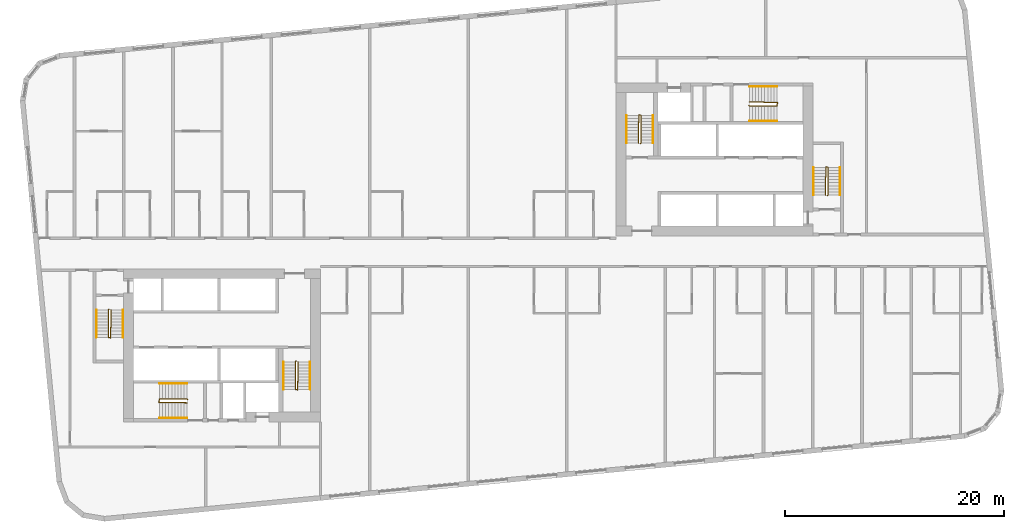
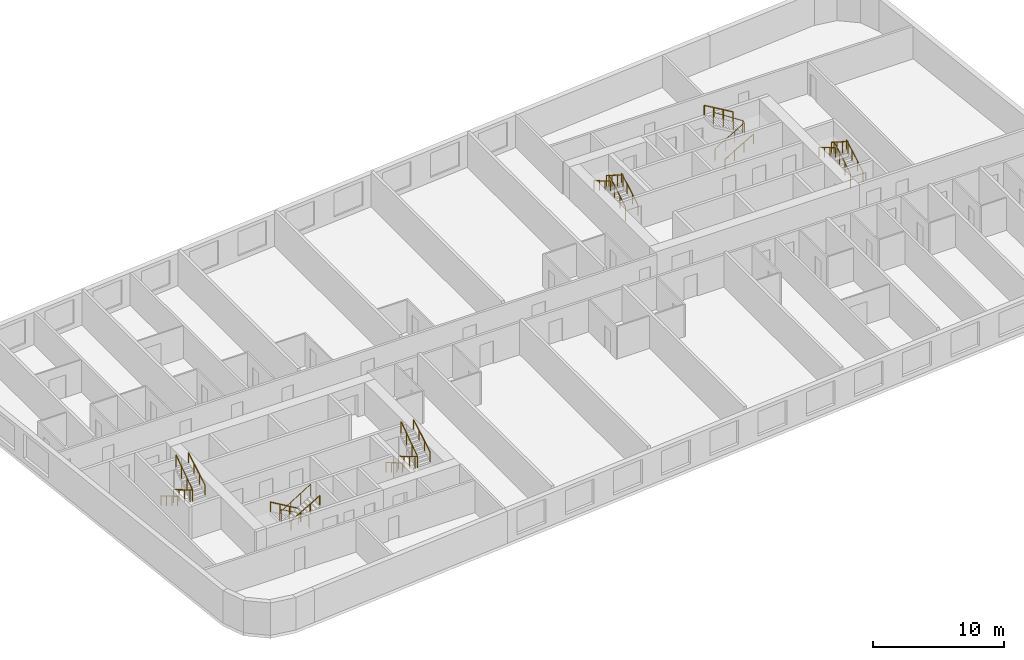
# One storey, part 12 of 12: 18 railings.
"""IFC4 building model written with IfcOpenShell, lengths in metres."""

from ifc_helpers import new_model, si_unit, direction, frame, origin, origin_2d, place, context, subcontext, project, spatial, circle, extrude, material, type_object, element, save


model = new_model("IFC4")

# Units and contexts
model_context = context("Model", 3, precision=1e-05, world=origin(), true_north=direction((0.0, 1.0)))
body_context = subcontext(model_context, "Body", "Model", "MODEL_VIEW")
ifc_project = project(units=[si_unit("LENGTHUNIT", "METRE"), si_unit("AREAUNIT", "SQUARE_METRE"), si_unit("VOLUMEUNIT", "CUBIC_METRE"), si_unit("PLANEANGLEUNIT", "RADIAN"), si_unit("MASSUNIT", "GRAM", prefix="KILO")], contexts=[model_context])

# Site, building, storey
site_placement = place(None, origin())
site = spatial("IfcSite", under=ifc_project, at=site_placement, CompositionType="ELEMENT")
building_placement = place(site_placement, origin())
building = spatial("IfcBuilding", under=site, at=building_placement, Name="Kajstack Hotel Tower", CompositionType="ELEMENT")
storey_placement = place(building_placement, frame((0.0, 0.0, 124.0)))
storey = spatial("IfcBuildingStorey", under=building, at=storey_placement, Name="L27", CompositionType="ELEMENT", Elevation=124.0)

# Railings
ifc_material = material(Name="Steel S355J2", Category="steel")
railing_type_1 = type_object("IfcRailingType", Name="Stair guard 1100", PredefinedType="GUARDRAIL", material=ifc_material)
railing_1_placement = place(storey_placement, frame((-32.85009765625, -5.199951171875, 0.0)))
element("IfcRailing", 1, at=railing_1_placement, inside=storey, type_object=railing_type_1, Name="L27 W1 stair guard 1", PredefinedType="GUARDRAIL", context=body_context, shape_type="SweptSolid", body=[
    extrude(circle(Radius=0.02392578125, at=origin_2d()), frame((0.0, 0.0, 1.076171875), z_axis=(-0.277450376394, -0.278810427259, 0.919394384522), x_axis=(0.708833529934, -0.705375805398, 0.0)), (0.0, 0.0, 1.0), 0.179443359375),
    extrude(circle(Radius=0.02392578125, at=origin_2d()), frame((-0.0498046875, -0.050048828125, 1.2412109375), z_axis=(0.0, -0.861560626758, 0.507654692109), x_axis=(1.0, 0.0, 0.0)), (0.0, 0.0, 1.0), 2.925048828125),
    extrude(circle(Radius=0.02392578125, at=origin_2d()), frame((-0.0498046875, -2.570068359375, 2.72607421875), z_axis=(0.970072785993, -0.242814311512, 0.0), x_axis=(0.242814311512, 0.970072785993, 0.0)), (0.0, 0.0, 1.0), 0.2060546875),
    extrude(circle(Radius=0.02392578125, at=origin_2d()), frame((0.150146484375, -2.6201171875, 2.72607421875), z_axis=(0.016384601254, 0.84136925563, 0.540212292087), x_axis=(-0.999810440751, 0.019470042781, 0.0)), (0.0, 0.0, 1.0), 3.0546875),
    extrude(circle(Radius=0.02099609375, at=origin_2d()), origin(), (0.0, 0.0, 1.0), 1.052001953125),
    extrude(circle(Radius=0.02099609375, at=origin_2d()), frame((-0.0498046875, -0.050048828125, 0.1650390625)), (0.0, 0.0, 1.0), 1.052001953125),
    extrude(circle(Radius=0.02099609375, at=origin_2d()), frame((-0.0498046875, -0.89013671875, 0.659912109375)), (0.0, 0.0, 1.0), 1.052001953125),
    extrude(circle(Radius=0.02099609375, at=origin_2d()), frame((-0.0498046875, -1.72998046875, 1.155029296875)), (0.0, 0.0, 1.0), 1.052001953125),
    extrude(circle(Radius=0.02099609375, at=origin_2d()), frame((-0.0498046875, -2.570068359375, 1.64990234375)), (0.0, 0.0, 1.0), 1.052001953125),
    extrude(circle(Radius=0.02099609375, at=origin_2d()), frame((0.150146484375, -2.6201171875, 1.64990234375)), (0.0, 0.0, 1.0), 1.052001953125),
    extrude(circle(Radius=0.02099609375, at=origin_2d()), frame((0.166748046875, -1.763427734375, 2.199951171875)), (0.0, 0.0, 1.0), 1.052001953125),
    extrude(circle(Radius=0.02099609375, at=origin_2d()), frame((0.18359375, -0.90673828125, 2.75)), (0.0, 0.0, 1.0), 1.052001953125),
    extrude(circle(Radius=0.02099609375, at=origin_2d()), frame((0.2001953125, -0.050048828125, 3.300048828125)), (0.0, 0.0, 1.0), 1.052001953125),
])
railing_2_placement = place(storey_placement, frame((-15.75, -9.949951171875, 0.0)))
element("IfcRailing", 2, at=railing_2_placement, inside=storey, type_object=railing_type_1, Name="L27 W2 stair guard 1", PredefinedType="GUARDRAIL", context=body_context, shape_type="SweptSolid", body=[
    extrude(circle(Radius=0.02392578125, at=origin_2d()), frame((0.0, 0.0, 1.076171875), z_axis=(-0.278705021027, -0.278705021027, 0.919046801044), x_axis=(0.707106781187, -0.707106781187, 0.0)), (0.0, 0.0, 1.0), 0.1796875),
    extrude(circle(Radius=0.02392578125, at=origin_2d()), frame((-0.050048828125, -0.050048828125, 1.2412109375), z_axis=(0.0, -0.861560626758, 0.507654692109), x_axis=(1.0, 0.0, 0.0)), (0.0, 0.0, 1.0), 2.925048828125),
    extrude(circle(Radius=0.02392578125, at=origin_2d()), frame((-0.050048828125, -2.570068359375, 2.72607421875), z_axis=(0.970072785993, -0.242814311512, 0.0), x_axis=(0.242814311512, 0.970072785993, 0.0)), (0.0, 0.0, 1.0), 0.2060546875),
    extrude(circle(Radius=0.02392578125, at=origin_2d()), frame((0.14990234375, -2.6201171875, 2.72607421875), z_axis=(0.016384601254, 0.84136925563, 0.540212292087), x_axis=(-0.999810440751, 0.019470042781, 0.0)), (0.0, 0.0, 1.0), 3.0546875),
    extrude(circle(Radius=0.02099609375, at=origin_2d()), origin(), (0.0, 0.0, 1.0), 1.052001953125),
    extrude(circle(Radius=0.02099609375, at=origin_2d()), frame((-0.050048828125, -0.050048828125, 0.1650390625)), (0.0, 0.0, 1.0), 1.052001953125),
    extrude(circle(Radius=0.02099609375, at=origin_2d()), frame((-0.050048828125, -0.89013671875, 0.659912109375)), (0.0, 0.0, 1.0), 1.052001953125),
    extrude(circle(Radius=0.02099609375, at=origin_2d()), frame((-0.050048828125, -1.72998046875, 1.155029296875)), (0.0, 0.0, 1.0), 1.052001953125),
    extrude(circle(Radius=0.02099609375, at=origin_2d()), frame((-0.050048828125, -2.570068359375, 1.64990234375)), (0.0, 0.0, 1.0), 1.052001953125),
    extrude(circle(Radius=0.02099609375, at=origin_2d()), frame((0.14990234375, -2.6201171875, 1.64990234375)), (0.0, 0.0, 1.0), 1.052001953125),
    extrude(circle(Radius=0.02099609375, at=origin_2d()), frame((0.16650390625, -1.763427734375, 2.199951171875)), (0.0, 0.0, 1.0), 1.052001953125),
    extrude(circle(Radius=0.02099609375, at=origin_2d()), frame((0.183349609375, -0.90673828125, 2.75)), (0.0, 0.0, 1.0), 1.052001953125),
    extrude(circle(Radius=0.02099609375, at=origin_2d()), frame((0.199951171875, -0.050048828125, 3.300048828125)), (0.0, 0.0, 1.0), 1.052001953125),
])
railing_3_placement = place(storey_placement, frame((-25.64990234375, -13.449951171875, 0.0)))
element("IfcRailing", 3, at=railing_3_placement, inside=storey, type_object=railing_type_1, Name="L27 W3 stair guard 1", PredefinedType="GUARDRAIL", context=body_context, shape_type="SweptSolid", body=[
    extrude(circle(Radius=0.02392578125, at=origin_2d()), frame((0.0, 0.0, 1.076171875), z_axis=(-0.278705021027, 0.278705021027, 0.919046801044), x_axis=(-0.707106781187, -0.707106781187, 0.0)), (0.0, 0.0, 1.0), 0.1796875),
    extrude(circle(Radius=0.02392578125, at=origin_2d()), frame((-0.050048828125, 0.050048828125, 1.2412109375), z_axis=(-0.861560626758, 0.0, 0.507654692109), x_axis=(0.0, -1.0, 0.0)), (0.0, 0.0, 1.0), 2.925048828125),
    extrude(circle(Radius=0.02392578125, at=origin_2d()), frame((-2.570068359375, 0.050048828125, 2.72607421875), z_axis=(-0.164529134168, -0.986372223864, 0.0), x_axis=(0.986372223864, -0.164529134168, 0.0)), (0.0, 0.0, 1.0), 0.30419921875),
    extrude(circle(Radius=0.02392578125, at=origin_2d()), frame((-2.6201171875, -0.25, 2.72607421875), z_axis=(0.84136925563, -0.016384601254, 0.540212292087), x_axis=(0.019470042781, 0.999810440751, 0.0)), (0.0, 0.0, 1.0), 3.0546875),
    extrude(circle(Radius=0.02099609375, at=origin_2d()), origin(), (0.0, 0.0, 1.0), 1.052001953125),
    extrude(circle(Radius=0.02099609375, at=origin_2d()), frame((-0.050048828125, 0.050048828125, 0.1650390625)), (0.0, 0.0, 1.0), 1.052001953125),
    extrude(circle(Radius=0.02099609375, at=origin_2d()), frame((-0.89013671875, 0.050048828125, 0.659912109375)), (0.0, 0.0, 1.0), 1.052001953125),
    extrude(circle(Radius=0.02099609375, at=origin_2d()), frame((-1.72998046875, 0.050048828125, 1.155029296875)), (0.0, 0.0, 1.0), 1.052001953125),
    extrude(circle(Radius=0.02099609375, at=origin_2d()), frame((-2.570068359375, 0.050048828125, 1.64990234375)), (0.0, 0.0, 1.0), 1.052001953125),
    extrude(circle(Radius=0.02099609375, at=origin_2d()), frame((-2.6201171875, -0.25, 1.64990234375)), (0.0, 0.0, 1.0), 1.052001953125),
    extrude(circle(Radius=0.02099609375, at=origin_2d()), frame((-1.763427734375, -0.2666015625, 2.199951171875)), (0.0, 0.0, 1.0), 1.052001953125),
    extrude(circle(Radius=0.02099609375, at=origin_2d()), frame((-0.90673828125, -0.283447265625, 2.75)), (0.0, 0.0, 1.0), 1.052001953125),
    extrude(circle(Radius=0.02099609375, at=origin_2d()), frame((-0.050048828125, -0.300048828125, 3.300048828125)), (0.0, 0.0, 1.0), 1.052001953125),
])
railing_4_placement = place(storey_placement, frame((32.85009765625, 5.199951171875, 0.0)))
element("IfcRailing", 4, at=railing_4_placement, inside=storey, type_object=railing_type_1, Name="L27 E1 stair guard 1", PredefinedType="GUARDRAIL", context=body_context, shape_type="SweptSolid", body=[
    extrude(circle(Radius=0.02392578125, at=origin_2d()), frame((0.0, 0.0, 1.076171875), z_axis=(0.277450376394, 0.278810427259, 0.919394384522), x_axis=(-0.708833529934, 0.705375805398, 0.0)), (0.0, 0.0, 1.0), 0.179443359375),
    extrude(circle(Radius=0.02392578125, at=origin_2d()), frame((0.0498046875, 0.050048828125, 1.2412109375), z_axis=(0.0, 0.861560626758, 0.507654692109), x_axis=(-1.0, 0.0, 0.0)), (0.0, 0.0, 1.0), 2.925048828125),
    extrude(circle(Radius=0.02392578125, at=origin_2d()), frame((0.0498046875, 2.570068359375, 2.72607421875), z_axis=(-0.970072785993, 0.242814311512, 0.0), x_axis=(-0.242814311512, -0.970072785993, 0.0)), (0.0, 0.0, 1.0), 0.2060546875),
    extrude(circle(Radius=0.02392578125, at=origin_2d()), frame((-0.150146484375, 2.6201171875, 2.72607421875), z_axis=(-0.016384601254, -0.84136925563, 0.540212292087), x_axis=(0.999810440751, -0.019470042781, 0.0)), (0.0, 0.0, 1.0), 3.0546875),
    extrude(circle(Radius=0.02099609375, at=origin_2d()), origin(), (0.0, 0.0, 1.0), 1.052001953125),
    extrude(circle(Radius=0.02099609375, at=origin_2d()), frame((0.0498046875, 0.050048828125, 0.1650390625)), (0.0, 0.0, 1.0), 1.052001953125),
    extrude(circle(Radius=0.02099609375, at=origin_2d()), frame((0.0498046875, 0.89013671875, 0.659912109375)), (0.0, 0.0, 1.0), 1.052001953125),
    extrude(circle(Radius=0.02099609375, at=origin_2d()), frame((0.0498046875, 1.72998046875, 1.155029296875)), (0.0, 0.0, 1.0), 1.052001953125),
    extrude(circle(Radius=0.02099609375, at=origin_2d()), frame((0.0498046875, 2.570068359375, 1.64990234375)), (0.0, 0.0, 1.0), 1.052001953125),
    extrude(circle(Radius=0.02099609375, at=origin_2d()), frame((-0.150146484375, 2.6201171875, 1.64990234375)), (0.0, 0.0, 1.0), 1.052001953125),
    extrude(circle(Radius=0.02099609375, at=origin_2d()), frame((-0.166748046875, 1.763427734375, 2.199951171875)), (0.0, 0.0, 1.0), 1.052001953125),
    extrude(circle(Radius=0.02099609375, at=origin_2d()), frame((-0.18359375, 0.90673828125, 2.75)), (0.0, 0.0, 1.0), 1.052001953125),
    extrude(circle(Radius=0.02099609375, at=origin_2d()), frame((-0.2001953125, 0.050048828125, 3.300048828125)), (0.0, 0.0, 1.0), 1.052001953125),
])
railing_5_placement = place(storey_placement, frame((15.75, 9.949951171875, 0.0)))
element("IfcRailing", 5, at=railing_5_placement, inside=storey, type_object=railing_type_1, Name="L27 E2 stair guard 1", PredefinedType="GUARDRAIL", context=body_context, shape_type="SweptSolid", body=[
    extrude(circle(Radius=0.02392578125, at=origin_2d()), frame((0.0, 0.0, 1.076171875), z_axis=(0.278705021027, 0.278705021027, 0.919046801044), x_axis=(-0.707106781187, 0.707106781187, 0.0)), (0.0, 0.0, 1.0), 0.1796875),
    extrude(circle(Radius=0.02392578125, at=origin_2d()), frame((0.050048828125, 0.050048828125, 1.2412109375), z_axis=(0.0, 0.861560626758, 0.507654692109), x_axis=(-1.0, 0.0, 0.0)), (0.0, 0.0, 1.0), 2.925048828125),
    extrude(circle(Radius=0.02392578125, at=origin_2d()), frame((0.050048828125, 2.570068359375, 2.72607421875), z_axis=(-0.970072785993, 0.242814311512, 0.0), x_axis=(-0.242814311512, -0.970072785993, 0.0)), (0.0, 0.0, 1.0), 0.2060546875),
    extrude(circle(Radius=0.02392578125, at=origin_2d()), frame((-0.14990234375, 2.6201171875, 2.72607421875), z_axis=(-0.016384601254, -0.84136925563, 0.540212292087), x_axis=(0.999810440751, -0.019470042781, 0.0)), (0.0, 0.0, 1.0), 3.0546875),
    extrude(circle(Radius=0.02099609375, at=origin_2d()), origin(), (0.0, 0.0, 1.0), 1.052001953125),
    extrude(circle(Radius=0.02099609375, at=origin_2d()), frame((0.050048828125, 0.050048828125, 0.1650390625)), (0.0, 0.0, 1.0), 1.052001953125),
    extrude(circle(Radius=0.02099609375, at=origin_2d()), frame((0.050048828125, 0.89013671875, 0.659912109375)), (0.0, 0.0, 1.0), 1.052001953125),
    extrude(circle(Radius=0.02099609375, at=origin_2d()), frame((0.050048828125, 1.72998046875, 1.155029296875)), (0.0, 0.0, 1.0), 1.052001953125),
    extrude(circle(Radius=0.02099609375, at=origin_2d()), frame((0.050048828125, 2.570068359375, 1.64990234375)), (0.0, 0.0, 1.0), 1.052001953125),
    extrude(circle(Radius=0.02099609375, at=origin_2d()), frame((-0.14990234375, 2.6201171875, 1.64990234375)), (0.0, 0.0, 1.0), 1.052001953125),
    extrude(circle(Radius=0.02099609375, at=origin_2d()), frame((-0.16650390625, 1.763427734375, 2.199951171875)), (0.0, 0.0, 1.0), 1.052001953125),
    extrude(circle(Radius=0.02099609375, at=origin_2d()), frame((-0.183349609375, 0.90673828125, 2.75)), (0.0, 0.0, 1.0), 1.052001953125),
    extrude(circle(Radius=0.02099609375, at=origin_2d()), frame((-0.199951171875, 0.050048828125, 3.300048828125)), (0.0, 0.0, 1.0), 1.052001953125),
])
railing_6_placement = place(storey_placement, frame((25.64990234375, 13.449951171875, 0.0)))
element("IfcRailing", 6, at=railing_6_placement, inside=storey, type_object=railing_type_1, Name="L27 E3 stair guard 1", PredefinedType="GUARDRAIL", context=body_context, shape_type="SweptSolid", body=[
    extrude(circle(Radius=0.02392578125, at=origin_2d()), frame((0.0, 0.0, 1.076171875), z_axis=(0.278705021027, -0.278705021027, 0.919046801044), x_axis=(0.707106781187, 0.707106781187, 0.0)), (0.0, 0.0, 1.0), 0.1796875),
    extrude(circle(Radius=0.02392578125, at=origin_2d()), frame((0.050048828125, -0.050048828125, 1.2412109375), z_axis=(0.861560626758, 0.0, 0.507654692109), x_axis=(0.0, 1.0, 0.0)), (0.0, 0.0, 1.0), 2.925048828125),
    extrude(circle(Radius=0.02392578125, at=origin_2d()), frame((2.570068359375, -0.050048828125, 2.72607421875), z_axis=(0.164529134168, 0.986372223864, 0.0), x_axis=(-0.986372223864, 0.164529134168, 0.0)), (0.0, 0.0, 1.0), 0.30419921875),
    extrude(circle(Radius=0.02392578125, at=origin_2d()), frame((2.6201171875, 0.25, 2.72607421875), z_axis=(-0.84136925563, 0.016384601254, 0.540212292087), x_axis=(-0.019470042781, -0.999810440751, 0.0)), (0.0, 0.0, 1.0), 3.0546875),
    extrude(circle(Radius=0.02099609375, at=origin_2d()), origin(), (0.0, 0.0, 1.0), 1.052001953125),
    extrude(circle(Radius=0.02099609375, at=origin_2d()), frame((0.050048828125, -0.050048828125, 0.1650390625)), (0.0, 0.0, 1.0), 1.052001953125),
    extrude(circle(Radius=0.02099609375, at=origin_2d()), frame((0.89013671875, -0.050048828125, 0.659912109375)), (0.0, 0.0, 1.0), 1.052001953125),
    extrude(circle(Radius=0.02099609375, at=origin_2d()), frame((1.72998046875, -0.050048828125, 1.155029296875)), (0.0, 0.0, 1.0), 1.052001953125),
    extrude(circle(Radius=0.02099609375, at=origin_2d()), frame((2.570068359375, -0.050048828125, 1.64990234375)), (0.0, 0.0, 1.0), 1.052001953125),
    extrude(circle(Radius=0.02099609375, at=origin_2d()), frame((2.6201171875, 0.25, 1.64990234375)), (0.0, 0.0, 1.0), 1.052001953125),
    extrude(circle(Radius=0.02099609375, at=origin_2d()), frame((1.763427734375, 0.2666015625, 2.199951171875)), (0.0, 0.0, 1.0), 1.052001953125),
    extrude(circle(Radius=0.02099609375, at=origin_2d()), frame((0.90673828125, 0.283447265625, 2.75)), (0.0, 0.0, 1.0), 1.052001953125),
    extrude(circle(Radius=0.02099609375, at=origin_2d()), frame((0.050048828125, 0.300048828125, 3.300048828125)), (0.0, 0.0, 1.0), 1.052001953125),
])
railing_type_2 = type_object("IfcRailingType", Name="Stair handrail 900", PredefinedType="HANDRAIL", material=ifc_material)
railing_7_placement = place(storey_placement, frame((-34.0, -5.25, 0.1650390625)))
element("IfcRailing", 7, at=railing_7_placement, inside=storey, type_object=railing_type_2, Name="L27 W1 stair handrail 1", PredefinedType="HANDRAIL", context=body_context, shape_type="SweptSolid", body=[
    extrude(circle(Radius=0.02392578125, at=origin_2d()), frame((0.0, 0.0, 0.8759765625), z_axis=(0.0, -0.861560626758, 0.507654692109), x_axis=(1.0, 0.0, 0.0)), (0.0, 0.0, 1.0), 2.925048828125),
    extrude(circle(Radius=0.02099609375, at=origin_2d()), origin(), (0.0, 0.0, 1.0), 0.851806640625),
    extrude(circle(Radius=0.02099609375, at=origin_2d()), frame((0.0, -0.840087890625, 0.494873046875)), (0.0, 0.0, 1.0), 0.851806640625),
    extrude(circle(Radius=0.02099609375, at=origin_2d()), frame((0.0, -1.679931640625, 0.989990234375)), (0.0, 0.0, 1.0), 0.851806640625),
    extrude(circle(Radius=0.02099609375, at=origin_2d()), frame((0.0, -2.52001953125, 1.48486328125)), (0.0, 0.0, 1.0), 0.851806640625),
])
railing_8_placement = place(storey_placement, frame((-31.550048828125, -7.77001953125, 1.81494140625)))
element("IfcRailing", 8, at=railing_8_placement, inside=storey, type_object=railing_type_2, Name="L27 W1 stair handrail 2", PredefinedType="HANDRAIL", context=body_context, shape_type="SweptSolid", body=[
    extrude(circle(Radius=0.02392578125, at=origin_2d()), frame((0.0, 0.0, 0.8759765625), z_axis=(0.0, 0.86152411907, 0.507716645641), x_axis=(-1.0, 0.0, 0.0)), (0.0, 0.0, 1.0), 2.925048828125),
    extrude(circle(Radius=0.02099609375, at=origin_2d()), origin(), (0.0, 0.0, 1.0), 0.851806640625),
    extrude(circle(Radius=0.02099609375, at=origin_2d()), frame((0.0, 0.840087890625, 0.4951171875)), (0.0, 0.0, 1.0), 0.851806640625),
    extrude(circle(Radius=0.02099609375, at=origin_2d()), frame((0.0, 1.679931640625, 0.989990234375)), (0.0, 0.0, 1.0), 0.851806640625),
    extrude(circle(Radius=0.02099609375, at=origin_2d()), frame((0.0, 2.52001953125, 1.485107421875)), (0.0, 0.0, 1.0), 0.851806640625),
])
railing_9_placement = place(storey_placement, frame((-16.89990234375, -10.0, 0.1650390625)))
element("IfcRailing", 9, at=railing_9_placement, inside=storey, type_object=railing_type_2, Name="L27 W2 stair handrail 1", PredefinedType="HANDRAIL", context=body_context, shape_type="SweptSolid", body=[
    extrude(circle(Radius=0.02392578125, at=origin_2d()), frame((0.0, 0.0, 0.8759765625), z_axis=(0.0, -0.861560626758, 0.507654692109), x_axis=(1.0, 0.0, 0.0)), (0.0, 0.0, 1.0), 2.925048828125),
    extrude(circle(Radius=0.02099609375, at=origin_2d()), origin(), (0.0, 0.0, 1.0), 0.851806640625),
    extrude(circle(Radius=0.02099609375, at=origin_2d()), frame((0.0, -0.840087890625, 0.494873046875)), (0.0, 0.0, 1.0), 0.851806640625),
    extrude(circle(Radius=0.02099609375, at=origin_2d()), frame((0.0, -1.679931640625, 0.989990234375)), (0.0, 0.0, 1.0), 0.851806640625),
    extrude(circle(Radius=0.02099609375, at=origin_2d()), frame((0.0, -2.52001953125, 1.48486328125)), (0.0, 0.0, 1.0), 0.851806640625),
])
railing_10_placement = place(storey_placement, frame((-14.449951171875, -12.52001953125, 1.81494140625)))
element("IfcRailing", 10, at=railing_10_placement, inside=storey, type_object=railing_type_2, Name="L27 W2 stair handrail 2", PredefinedType="HANDRAIL", context=body_context, shape_type="SweptSolid", body=[
    extrude(circle(Radius=0.02392578125, at=origin_2d()), frame((0.0, 0.0, 0.8759765625), z_axis=(0.0, 0.86152411907, 0.507716645641), x_axis=(-1.0, 0.0, 0.0)), (0.0, 0.0, 1.0), 2.925048828125),
    extrude(circle(Radius=0.02099609375, at=origin_2d()), origin(), (0.0, 0.0, 1.0), 0.851806640625),
    extrude(circle(Radius=0.02099609375, at=origin_2d()), frame((0.0, 0.840087890625, 0.4951171875)), (0.0, 0.0, 1.0), 0.851806640625),
    extrude(circle(Radius=0.02099609375, at=origin_2d()), frame((0.0, 1.679931640625, 0.989990234375)), (0.0, 0.0, 1.0), 0.851806640625),
    extrude(circle(Radius=0.02099609375, at=origin_2d()), frame((0.0, 2.52001953125, 1.485107421875)), (0.0, 0.0, 1.0), 0.851806640625),
])
railing_11_placement = place(storey_placement, frame((-25.699951171875, -12.0, 0.1650390625)))
element("IfcRailing", 11, at=railing_11_placement, inside=storey, type_object=railing_type_2, Name="L27 W3 stair handrail 1", PredefinedType="HANDRAIL", context=body_context, shape_type="SweptSolid", body=[
    extrude(circle(Radius=0.02392578125, at=origin_2d()), frame((0.0, 0.0, 0.8759765625), z_axis=(-0.861560626758, 0.0, 0.507654692109), x_axis=(0.0, -1.0, 0.0)), (0.0, 0.0, 1.0), 2.925048828125),
    extrude(circle(Radius=0.02099609375, at=origin_2d()), origin(), (0.0, 0.0, 1.0), 0.851806640625),
    extrude(circle(Radius=0.02099609375, at=origin_2d()), frame((-0.840087890625, 0.0, 0.494873046875)), (0.0, 0.0, 1.0), 0.851806640625),
    extrude(circle(Radius=0.02099609375, at=origin_2d()), frame((-1.679931640625, 0.0, 0.989990234375)), (0.0, 0.0, 1.0), 0.851806640625),
    extrude(circle(Radius=0.02099609375, at=origin_2d()), frame((-2.52001953125, 0.0, 1.48486328125)), (0.0, 0.0, 1.0), 0.851806640625),
])
railing_12_placement = place(storey_placement, frame((-28.219970703125, -15.14990234375, 1.81494140625)))
element("IfcRailing", 12, at=railing_12_placement, inside=storey, type_object=railing_type_2, Name="L27 W3 stair handrail 2", PredefinedType="HANDRAIL", context=body_context, shape_type="SweptSolid", body=[
    extrude(circle(Radius=0.02392578125, at=origin_2d()), frame((0.0, 0.0, 0.8759765625), z_axis=(0.86152411907, 0.0, 0.507716645641), x_axis=(0.0, 1.0, 0.0)), (0.0, 0.0, 1.0), 2.925048828125),
    extrude(circle(Radius=0.02099609375, at=origin_2d()), origin(), (0.0, 0.0, 1.0), 0.851806640625),
    extrude(circle(Radius=0.02099609375, at=origin_2d()), frame((0.840087890625, 0.0, 0.4951171875)), (0.0, 0.0, 1.0), 0.851806640625),
    extrude(circle(Radius=0.02099609375, at=origin_2d()), frame((1.679931640625, 0.0, 0.989990234375)), (0.0, 0.0, 1.0), 0.851806640625),
    extrude(circle(Radius=0.02099609375, at=origin_2d()), frame((2.52001953125, 0.0, 1.485107421875)), (0.0, 0.0, 1.0), 0.851806640625),
])
railing_13_placement = place(storey_placement, frame((34.0, 5.25, 0.1650390625)))
element("IfcRailing", 13, at=railing_13_placement, inside=storey, type_object=railing_type_2, Name="L27 E1 stair handrail 1", PredefinedType="HANDRAIL", context=body_context, shape_type="SweptSolid", body=[
    extrude(circle(Radius=0.02392578125, at=origin_2d()), frame((0.0, 0.0, 0.8759765625), z_axis=(0.0, 0.861560626758, 0.507654692109), x_axis=(-1.0, 0.0, 0.0)), (0.0, 0.0, 1.0), 2.925048828125),
    extrude(circle(Radius=0.02099609375, at=origin_2d()), origin(), (0.0, 0.0, 1.0), 0.851806640625),
    extrude(circle(Radius=0.02099609375, at=origin_2d()), frame((0.0, 0.840087890625, 0.494873046875)), (0.0, 0.0, 1.0), 0.851806640625),
    extrude(circle(Radius=0.02099609375, at=origin_2d()), frame((0.0, 1.679931640625, 0.989990234375)), (0.0, 0.0, 1.0), 0.851806640625),
    extrude(circle(Radius=0.02099609375, at=origin_2d()), frame((0.0, 2.52001953125, 1.48486328125)), (0.0, 0.0, 1.0), 0.851806640625),
])
railing_14_placement = place(storey_placement, frame((31.550048828125, 7.77001953125, 1.81494140625)))
element("IfcRailing", 14, at=railing_14_placement, inside=storey, type_object=railing_type_2, Name="L27 E1 stair handrail 2", PredefinedType="HANDRAIL", context=body_context, shape_type="SweptSolid", body=[
    extrude(circle(Radius=0.02392578125, at=origin_2d()), frame((0.0, 0.0, 0.8759765625), z_axis=(0.0, -0.86152411907, 0.507716645641), x_axis=(1.0, 0.0, 0.0)), (0.0, 0.0, 1.0), 2.925048828125),
    extrude(circle(Radius=0.02099609375, at=origin_2d()), origin(), (0.0, 0.0, 1.0), 0.851806640625),
    extrude(circle(Radius=0.02099609375, at=origin_2d()), frame((0.0, -0.840087890625, 0.4951171875)), (0.0, 0.0, 1.0), 0.851806640625),
    extrude(circle(Radius=0.02099609375, at=origin_2d()), frame((0.0, -1.679931640625, 0.989990234375)), (0.0, 0.0, 1.0), 0.851806640625),
    extrude(circle(Radius=0.02099609375, at=origin_2d()), frame((0.0, -2.52001953125, 1.485107421875)), (0.0, 0.0, 1.0), 0.851806640625),
])
railing_15_placement = place(storey_placement, frame((16.89990234375, 10.0, 0.1650390625)))
element("IfcRailing", 15, at=railing_15_placement, inside=storey, type_object=railing_type_2, Name="L27 E2 stair handrail 1", PredefinedType="HANDRAIL", context=body_context, shape_type="SweptSolid", body=[
    extrude(circle(Radius=0.02392578125, at=origin_2d()), frame((0.0, 0.0, 0.8759765625), z_axis=(0.0, 0.861560626758, 0.507654692109), x_axis=(-1.0, 0.0, 0.0)), (0.0, 0.0, 1.0), 2.925048828125),
    extrude(circle(Radius=0.02099609375, at=origin_2d()), origin(), (0.0, 0.0, 1.0), 0.851806640625),
    extrude(circle(Radius=0.02099609375, at=origin_2d()), frame((0.0, 0.840087890625, 0.494873046875)), (0.0, 0.0, 1.0), 0.851806640625),
    extrude(circle(Radius=0.02099609375, at=origin_2d()), frame((0.0, 1.679931640625, 0.989990234375)), (0.0, 0.0, 1.0), 0.851806640625),
    extrude(circle(Radius=0.02099609375, at=origin_2d()), frame((0.0, 2.52001953125, 1.48486328125)), (0.0, 0.0, 1.0), 0.851806640625),
])
railing_16_placement = place(storey_placement, frame((14.449951171875, 12.52001953125, 1.81494140625)))
element("IfcRailing", 16, at=railing_16_placement, inside=storey, type_object=railing_type_2, Name="L27 E2 stair handrail 2", PredefinedType="HANDRAIL", context=body_context, shape_type="SweptSolid", body=[
    extrude(circle(Radius=0.02392578125, at=origin_2d()), frame((0.0, 0.0, 0.8759765625), z_axis=(0.0, -0.86152411907, 0.507716645641), x_axis=(1.0, 0.0, 0.0)), (0.0, 0.0, 1.0), 2.925048828125),
    extrude(circle(Radius=0.02099609375, at=origin_2d()), origin(), (0.0, 0.0, 1.0), 0.851806640625),
    extrude(circle(Radius=0.02099609375, at=origin_2d()), frame((0.0, -0.840087890625, 0.4951171875)), (0.0, 0.0, 1.0), 0.851806640625),
    extrude(circle(Radius=0.02099609375, at=origin_2d()), frame((0.0, -1.679931640625, 0.989990234375)), (0.0, 0.0, 1.0), 0.851806640625),
    extrude(circle(Radius=0.02099609375, at=origin_2d()), frame((0.0, -2.52001953125, 1.485107421875)), (0.0, 0.0, 1.0), 0.851806640625),
])
railing_17_placement = place(storey_placement, frame((25.699951171875, 12.0, 0.1650390625)))
element("IfcRailing", 17, at=railing_17_placement, inside=storey, type_object=railing_type_2, Name="L27 E3 stair handrail 1", PredefinedType="HANDRAIL", context=body_context, shape_type="SweptSolid", body=[
    extrude(circle(Radius=0.02392578125, at=origin_2d()), frame((0.0, 0.0, 0.8759765625), z_axis=(0.861560626758, 0.0, 0.507654692109), x_axis=(0.0, 1.0, 0.0)), (0.0, 0.0, 1.0), 2.925048828125),
    extrude(circle(Radius=0.02099609375, at=origin_2d()), origin(), (0.0, 0.0, 1.0), 0.851806640625),
    extrude(circle(Radius=0.02099609375, at=origin_2d()), frame((0.840087890625, 0.0, 0.494873046875)), (0.0, 0.0, 1.0), 0.851806640625),
    extrude(circle(Radius=0.02099609375, at=origin_2d()), frame((1.679931640625, 0.0, 0.989990234375)), (0.0, 0.0, 1.0), 0.851806640625),
    extrude(circle(Radius=0.02099609375, at=origin_2d()), frame((2.52001953125, 0.0, 1.48486328125)), (0.0, 0.0, 1.0), 0.851806640625),
])
railing_18_placement = place(storey_placement, frame((28.219970703125, 15.14990234375, 1.81494140625)))
element("IfcRailing", 18, at=railing_18_placement, inside=storey, type_object=railing_type_2, Name="L27 E3 stair handrail 2", PredefinedType="HANDRAIL", context=body_context, shape_type="SweptSolid", body=[
    extrude(circle(Radius=0.02392578125, at=origin_2d()), frame((0.0, 0.0, 0.8759765625), z_axis=(-0.86152411907, 0.0, 0.507716645641), x_axis=(0.0, -1.0, 0.0)), (0.0, 0.0, 1.0), 2.925048828125),
    extrude(circle(Radius=0.02099609375, at=origin_2d()), origin(), (0.0, 0.0, 1.0), 0.851806640625),
    extrude(circle(Radius=0.02099609375, at=origin_2d()), frame((-0.840087890625, 0.0, 0.4951171875)), (0.0, 0.0, 1.0), 0.851806640625),
    extrude(circle(Radius=0.02099609375, at=origin_2d()), frame((-1.679931640625, 0.0, 0.989990234375)), (0.0, 0.0, 1.0), 0.851806640625),
    extrude(circle(Radius=0.02099609375, at=origin_2d()), frame((-2.52001953125, 0.0, 1.485107421875)), (0.0, 0.0, 1.0), 0.851806640625),
])

save(model, "model.ifc")
